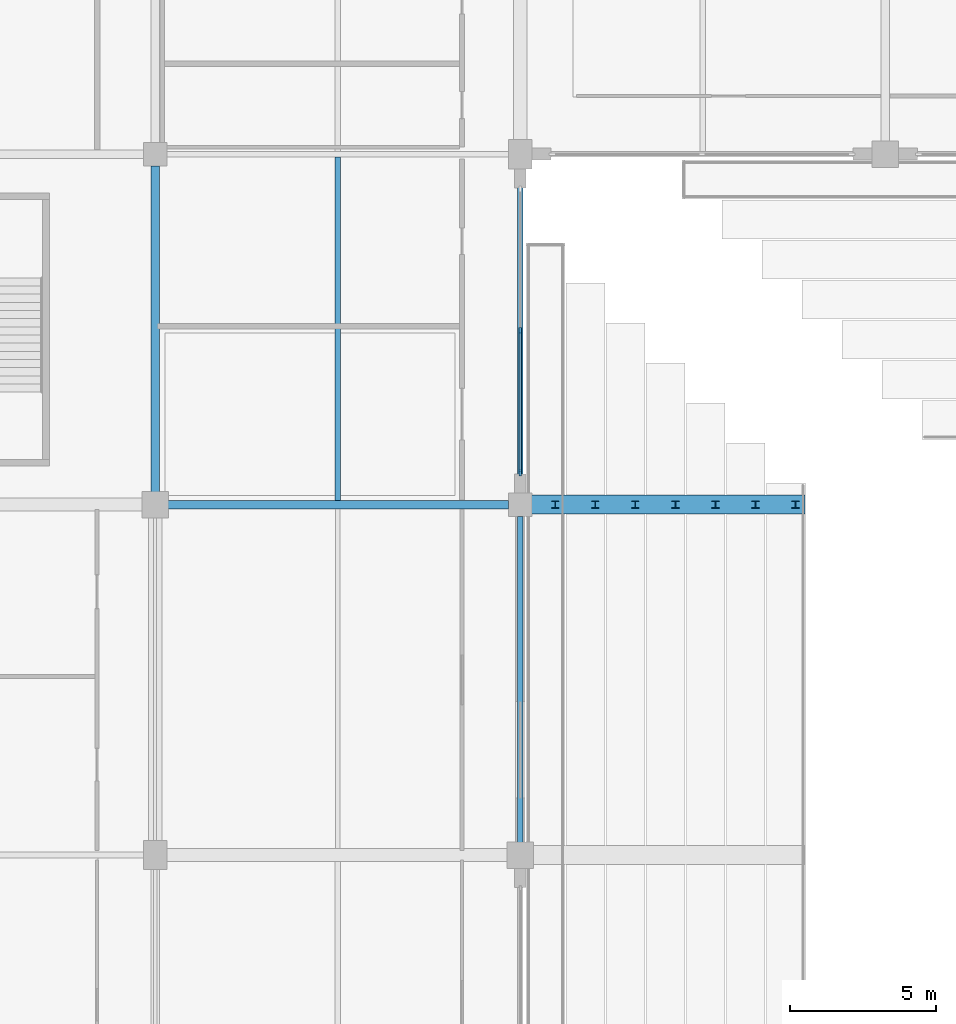
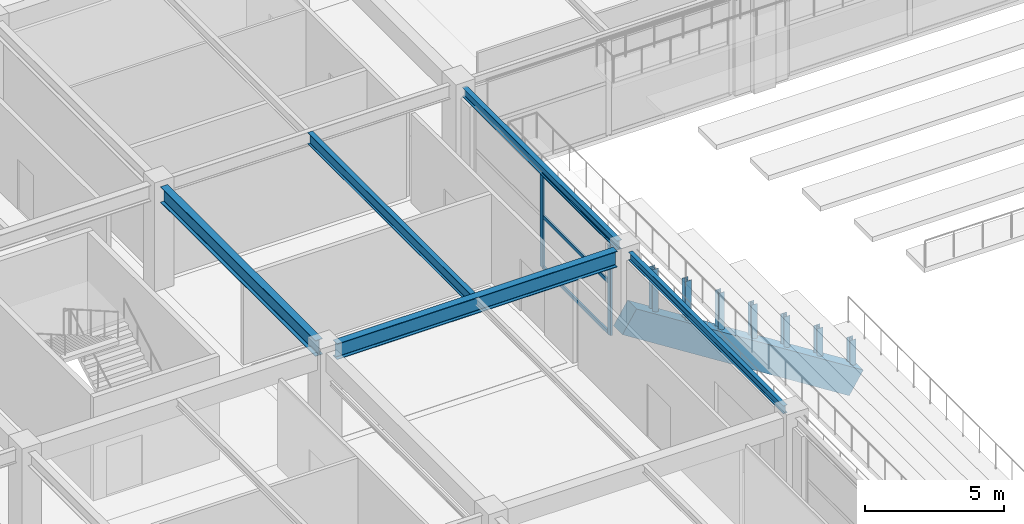
# One storey, part 26 of 134: 12 members, 6 beams, 1 element without a shape of its own.
"""IFC4 building model written with IfcOpenShell, lengths in metres."""

from ifc_helpers import new_model, si_unit, direction, frame, origin, origin_2d, place, context, subcontext, project, spatial, rectangle, i_section, extrude, material, layer, layer_set, material_profile, profile_set, type_object, element, aggregate, save


model = new_model("IFC4")

# Units and contexts
model_context = context("Model", 3, precision=1e-05, world=origin(), true_north=direction((0.0, 1.0)))
body_context = subcontext(model_context, "Body", "Model", "MODEL_VIEW")
ifc_project = project(units=[si_unit("LENGTHUNIT", "METRE"), si_unit("AREAUNIT", "SQUARE_METRE"), si_unit("VOLUMEUNIT", "CUBIC_METRE"), si_unit("PLANEANGLEUNIT", "RADIAN"), si_unit("MASSUNIT", "GRAM", prefix="KILO")], contexts=[model_context])

# Site, building, storey
site_placement = place(None, origin())
site = spatial("IfcSite", under=ifc_project, at=site_placement, CompositionType="ELEMENT")
building_placement = place(site_placement, origin())
building = spatial("IfcBuilding", under=site, at=building_placement, Name="Kazenohara Klinker Stadium", CompositionType="ELEMENT")
storey_placement = place(building_placement, frame((0.0, 0.0, 5.39990234375)))
storey = spatial("IfcBuildingStorey", under=building, at=storey_placement, Name="L01", CompositionType="ELEMENT", Elevation=5.39990234375)

# Beams
ifc_material_1 = material(Name="Steel S355", Category="steel")
ifc_material_profile_1 = material_profile(ifc_material_1, i_section(OverallWidth=0.199951171875, OverallDepth=0.5, WebThickness=0.010009765625, FlangeThickness=0.01611328125, FilletRadius=0.012939453125, at=origin_2d()), Name="H-500x200x10x16")
ifc_profile_set_1 = profile_set([ifc_material_profile_1], Name="Steel S355")
beam_type_1 = type_object("IfcBeamType", Name="BM-JST01", PredefinedType="JOIST", material=ifc_profile_set_1)
beam_1_placement = place(storey_placement, frame((42.75, 120.14990234375, 4.300048828125), z_axis=(0.0, 1.0, 0.0), x_axis=(-1.0, 0.0, 0.0)))
element("IfcBeam", 1, at=beam_1_placement, inside=storey, type_object=beam_type_1, Name="Secondary floor joist SJ01 L01 4/L", PredefinedType="JOIST", context=body_context, shape_type="SweptSolid", body=[
    extrude(i_section(OverallWidth=0.199951171875, OverallDepth=0.5, WebThickness=0.010009765625, FlangeThickness=0.01611328125, FilletRadius=0.012939453125, at=origin_2d()), origin(), (0.0, 0.0, 1.0), 11.75),
])
ifc_material_profile_2 = material_profile(ifc_material_1, i_section(OverallWidth=0.199951171875, OverallDepth=0.39990234375, WebThickness=0.008056640625, FlangeThickness=0.012939453125, FilletRadius=0.012939453125, at=origin_2d()), Name="H-400x200x8x13")
ifc_profile_set_2 = profile_set([ifc_material_profile_2], Name="Steel S355")
beam_type_2 = type_object("IfcBeamType", Name="BM-SPD01", PredefinedType="SPANDREL", material=ifc_profile_set_2)
beam_2_placement = place(storey_placement, frame((49.0, 120.39990234375, 4.35009765625), z_axis=(0.0, 1.0, 0.0), x_axis=(-1.0, 0.0, 0.0)))
element("IfcBeam", 2, at=beam_2_placement, inside=storey, type_object=beam_type_2, Name="Primary girder SP01 L01 5/L-M", PredefinedType="SPANDREL", context=body_context, shape_type="SweptSolid", body=[
    extrude(i_section(OverallWidth=0.199951171875, OverallDepth=0.39990234375, WebThickness=0.008056640625, FlangeThickness=0.012939453125, FilletRadius=0.012939453125, at=origin_2d()), origin(), (0.0, 0.0, 1.0), 11.18017578125),
])
ifc_material_profile_3 = material_profile(ifc_material_1, i_section(OverallWidth=0.175048828125, OverallDepth=0.35009765625, WebThickness=0.007080078125, FlangeThickness=0.010986328125, FilletRadius=0.012939453125, at=origin_2d()), Name="H-350x175x7x11")
ifc_profile_set_3 = profile_set([ifc_material_profile_3], Name="Steel S355")
beam_type_3 = type_object("IfcBeamType", Name="BM-SPD02", PredefinedType="SPANDREL", material=ifc_profile_set_3)
beam_3_placement = place(storey_placement, frame((49.0, 108.419921875, 4.375), z_axis=(0.0, 1.0, 0.0), x_axis=(-1.0, 0.0, 0.0)))
element("IfcBeam", 3, at=beam_3_placement, inside=storey, type_object=beam_type_3, Name="Primary girder SP02 L01 5/K-L", PredefinedType="SPANDREL", context=body_context, shape_type="SweptSolid", body=[
    extrude(i_section(OverallWidth=0.175048828125, OverallDepth=0.35009765625, WebThickness=0.007080078125, FlangeThickness=0.010986328125, FilletRadius=0.012939453125, at=origin_2d()), origin(), (0.0, 0.0, 1.0), 11.18017578125),
])
ifc_material_profile_4 = material_profile(ifc_material_1, i_section(OverallWidth=0.300048828125, OverallDepth=0.699951171875, WebThickness=0.012939453125, FlangeThickness=0.02392578125, FilletRadius=0.02197265625, at=origin_2d()), Name="H-700x300x13x24")
ifc_profile_set_4 = profile_set([ifc_material_profile_4], Name="Steel S355")
beam_type_4 = type_object("IfcBeamType", Name="BM-ST03", PredefinedType="BEAM", material=ifc_profile_set_4)
beam_4_placement = place(storey_placement, frame((36.919921875, 120.0, 4.2001953125), z_axis=(1.0, 0.0, 0.0), x_axis=(0.0, 1.0, 0.0)))
element("IfcBeam", 4, at=beam_4_placement, inside=storey, type_object=beam_type_4, Name="Primary girder SB03 L01 4-5/L", PredefinedType="BEAM", context=body_context, shape_type="SweptSolid", body=[
    extrude(i_section(OverallWidth=0.300048828125, OverallDepth=0.699951171875, WebThickness=0.012939453125, FlangeThickness=0.02392578125, FilletRadius=0.02197265625, at=origin_2d()), origin(), (0.0, 0.0, 1.0), 11.68017578125),
])
beam_5_placement = place(storey_placement, frame((36.5, 120.419921875, 4.2001953125), z_axis=(0.0, 1.0, 0.0), x_axis=(-1.0, 0.0, 0.0)))
element("IfcBeam", 5, at=beam_5_placement, inside=storey, type_object=beam_type_4, Name="Primary girder SB03 L01 4/L-M", PredefinedType="BEAM", context=body_context, shape_type="SweptSolid", body=[
    extrude(i_section(OverallWidth=0.300048828125, OverallDepth=0.699951171875, WebThickness=0.012939453125, FlangeThickness=0.02392578125, FilletRadius=0.02197265625, at=origin_2d()), origin(), (0.0, 0.0, 1.0), 11.18017578125),
])

# Curtain wall, members
ifc_material_2 = material(Name="Anodised aluminium and triple glazing", Category="aluminium")
ifc_layer = layer(ifc_material_2, 0.179931640625)
ifc_layer_set = layer_set([ifc_layer], Name="Anodised aluminium and triple glazing")
curtain_wall_type = type_object("IfcCurtainWallType", Name="CW-SYS-02", PredefinedType="USERDEFINED", material=ifc_layer_set)
curtain_wall_placement = place(storey_placement, origin())
curtain_wall = element("IfcCurtainWall", 6, at=curtain_wall_placement, inside=storey, type_object=curtain_wall_type, Name="Unitised facade curtain wall CW02 L01 Y4-10", ObjectType="UNITISED CURTAIN WALL", PredefinedType="USERDEFINED")
ifc_material_3 = material(Name="Anodised aluminium 6063-T6", Category="aluminium")
ifc_material_profile_5 = material_profile(ifc_material_3, rectangle(XDim=0.074951171875, YDim=0.219970703125, at=origin_2d()), Name="ALU-MUL-75x220")
ifc_profile_set_5 = profile_set([ifc_material_profile_5], Name="Anodised aluminium 6063-T6")
member_type_1 = type_object("IfcMemberType", Name="CW-MUL-220", PredefinedType="MULLION", material=ifc_profile_set_5)
member_1_placement = place(storey_placement, frame((49.0, 121.091552734375, 0.0), z_axis=(0.0, 0.0, 1.0), x_axis=(-1.0, 0.0, 0.0)))
member_1 = element("IfcMember", 7, at=member_1_placement, type_object=member_type_1, Name="CW02 mullion 1", PredefinedType="MULLION", context=body_context, shape_type="SweptSolid", body=[
    extrude(rectangle(XDim=0.074951171875, YDim=0.219970703125, at=origin_2d()), origin(), (0.0, 0.0, 1.0), 4.150146484375),
])
member_2_placement = place(storey_placement, frame((49.0, 125.949951171875, 0.0), z_axis=(0.0, 0.0, 1.0), x_axis=(-1.0, 0.0, 0.0)))
member_2 = element("IfcMember", 8, at=member_2_placement, type_object=member_type_1, Name="CW02 mullion 2", PredefinedType="MULLION", context=body_context, shape_type="SweptSolid", body=[
    extrude(rectangle(XDim=0.074951171875, YDim=0.219970703125, at=origin_2d()), origin(), (0.0, 0.0, 1.0), 4.150146484375),
])
ifc_material_profile_6 = material_profile(ifc_material_3, rectangle(XDim=0.074951171875, YDim=0.159912109375, at=origin_2d()), Name="ALU-TRN-75x160")
ifc_profile_set_6 = profile_set([ifc_material_profile_6], Name="Anodised aluminium 6063-T6")
member_type_2 = type_object("IfcMemberType", Name="CW-TRN-160", PredefinedType="USERDEFINED", material=ifc_profile_set_6)
member_3_placement = place(storey_placement, frame((49.0, 121.12890625, 0.03759765625), z_axis=(0.0, 1.0, 0.0), x_axis=(-1.0, 0.0, 0.0)))
member_3 = element("IfcMember", 9, at=member_3_placement, type_object=member_type_2, Name="CW02 transom 1.1", ObjectType="TRANSOM", PredefinedType="USERDEFINED", context=body_context, shape_type="SweptSolid", body=[
    extrude(rectangle(XDim=0.074951171875, YDim=0.159912109375, at=origin_2d()), origin(), (0.0, 0.0, 1.0), 4.78369140625),
])
member_4_placement = place(storey_placement, frame((49.0, 121.12890625, 2.28271484375), z_axis=(0.0, 1.0, 0.0), x_axis=(-1.0, 0.0, 0.0)))
member_4 = element("IfcMember", 10, at=member_4_placement, type_object=member_type_2, Name="CW02 transom 1.2", ObjectType="TRANSOM", PredefinedType="USERDEFINED", context=body_context, shape_type="SweptSolid", body=[
    extrude(rectangle(XDim=0.074951171875, YDim=0.159912109375, at=origin_2d()), origin(), (0.0, 0.0, 1.0), 4.78369140625),
])
member_5_placement = place(storey_placement, frame((49.0, 121.12890625, 4.112548828125), z_axis=(0.0, 1.0, 0.0), x_axis=(-1.0, 0.0, 0.0)))
member_5 = element("IfcMember", 11, at=member_5_placement, type_object=member_type_2, Name="CW02 transom 1.3", ObjectType="TRANSOM", PredefinedType="USERDEFINED", context=body_context, shape_type="SweptSolid", body=[
    extrude(rectangle(XDim=0.074951171875, YDim=0.159912109375, at=origin_2d()), origin(), (0.0, 0.0, 1.0), 4.78369140625),
])
aggregate(curtain_wall, [member_1, member_2, member_3, member_4, member_5])

# Members
ifc_material_profile_7 = material_profile(ifc_material_1, i_section(OverallWidth=0.25, OverallDepth=0.25, WebThickness=0.009033203125, FlangeThickness=0.013916015625, FilletRadius=0.012939453125, at=origin_2d()), Name="H-250x250x9x14")
ifc_profile_set_7 = profile_set([ifc_material_profile_7], Name="Steel S355")
member_type_3 = type_object("IfcMemberType", Name="MEM-STR02", PredefinedType="STRUT", material=ifc_profile_set_7)
member_6_placement = place(storey_placement, frame((50.198486328125, 120.0, 1.2783203125), z_axis=(0.0, 0.0, 1.0), x_axis=(1.0, 0.0, 0.0)))
element("IfcMember", 12, at=member_6_placement, inside=storey, type_object=member_type_3, Name="Precast tier riser stool LOWER-W-01-10", PredefinedType="STRUT", context=body_context, shape_type="SweptSolid", body=[
    extrude(i_section(OverallWidth=0.25, OverallDepth=0.25, WebThickness=0.009033203125, FlangeThickness=0.013916015625, FilletRadius=0.012939453125, at=origin_2d()), origin(), (0.0, 0.0, 1.0), 1.911865234375),
])
member_7_placement = place(storey_placement, frame((51.570068359375, 120.0, 0.407470703125), z_axis=(0.0, 0.0, 1.0), x_axis=(1.0, 0.0, 0.0)))
element("IfcMember", 13, at=member_7_placement, inside=storey, type_object=member_type_3, Name="Precast tier riser stool LOWER-W-02-10", PredefinedType="STRUT", context=body_context, shape_type="SweptSolid", body=[
    extrude(i_section(OverallWidth=0.25, OverallDepth=0.25, WebThickness=0.009033203125, FlangeThickness=0.013916015625, FilletRadius=0.012939453125, at=origin_2d()), origin(), (0.0, 0.0, 1.0), 1.78271484375),
])
member_8_placement = place(storey_placement, frame((52.94140625, 120.0, -0.463134765625), z_axis=(0.0, 0.0, 1.0), x_axis=(1.0, 0.0, 0.0)))
element("IfcMember", 14, at=member_8_placement, inside=storey, type_object=member_type_3, Name="Precast tier riser stool LOWER-W-03-10", PredefinedType="STRUT", context=body_context, shape_type="SweptSolid", body=[
    extrude(i_section(OverallWidth=0.25, OverallDepth=0.25, WebThickness=0.009033203125, FlangeThickness=0.013916015625, FilletRadius=0.012939453125, at=origin_2d()), origin(), (0.0, 0.0, 1.0), 1.6533203125),
])
member_9_placement = place(storey_placement, frame((54.31298828125, 120.0, -1.333984375), z_axis=(0.0, 0.0, 1.0), x_axis=(1.0, 0.0, 0.0)))
element("IfcMember", 15, at=member_9_placement, inside=storey, type_object=member_type_3, Name="Precast tier riser stool LOWER-W-04-10", PredefinedType="STRUT", context=body_context, shape_type="SweptSolid", body=[
    extrude(i_section(OverallWidth=0.25, OverallDepth=0.25, WebThickness=0.009033203125, FlangeThickness=0.013916015625, FilletRadius=0.012939453125, at=origin_2d()), origin(), (0.0, 0.0, 1.0), 1.524169921875),
])
member_10_placement = place(storey_placement, frame((55.684326171875, 120.0, -2.20458984375), z_axis=(0.0, 0.0, 1.0), x_axis=(1.0, 0.0, 0.0)))
element("IfcMember", 16, at=member_10_placement, inside=storey, type_object=member_type_3, Name="Precast tier riser stool LOWER-W-05-10", PredefinedType="STRUT", context=body_context, shape_type="SweptSolid", body=[
    extrude(i_section(OverallWidth=0.25, OverallDepth=0.25, WebThickness=0.009033203125, FlangeThickness=0.013916015625, FilletRadius=0.012939453125, at=origin_2d()), origin(), (0.0, 0.0, 1.0), 1.394775390625),
])
member_11_placement = place(storey_placement, frame((57.0556640625, 120.0, -3.075439453125), z_axis=(0.0, 0.0, 1.0), x_axis=(1.0, 0.0, 0.0)))
element("IfcMember", 17, at=member_11_placement, inside=storey, type_object=member_type_3, Name="Precast tier riser stool LOWER-W-06-10", PredefinedType="STRUT", context=body_context, shape_type="SweptSolid", body=[
    extrude(i_section(OverallWidth=0.25, OverallDepth=0.25, WebThickness=0.009033203125, FlangeThickness=0.013916015625, FilletRadius=0.012939453125, at=origin_2d()), origin(), (0.0, 0.0, 1.0), 1.265625),
])
member_12_placement = place(storey_placement, frame((58.427001953125, 120.0, -3.9462890625), z_axis=(0.0, 0.0, 1.0), x_axis=(1.0, 0.0, 0.0)))
element("IfcMember", 18, at=member_12_placement, inside=storey, type_object=member_type_3, Name="Precast tier riser stool LOWER-W-07-10", PredefinedType="STRUT", context=body_context, shape_type="SweptSolid", body=[
    extrude(i_section(OverallWidth=0.25, OverallDepth=0.25, WebThickness=0.009033203125, FlangeThickness=0.013916015625, FilletRadius=0.012939453125, at=origin_2d()), origin(), (0.0, 0.0, 1.0), 1.136474609375),
])

# Beam
ifc_material_4 = material(Name="Precast concrete C50/60", Category="concrete")
ifc_material_profile_8 = material_profile(ifc_material_4, rectangle(XDim=0.64990234375, YDim=1.10009765625, at=origin_2d()), Name="PC-RAKER-650x1100")
ifc_profile_set_8 = profile_set([ifc_material_profile_8], Name="Precast concrete C50/60")
beam_type_5 = type_object("IfcBeamType", Name="RAKER-RK01", PredefinedType="USERDEFINED", material=ifc_profile_set_8)
beam_6_placement = place(storey_placement, frame((49.0, 120.0, 1.401611328125), z_axis=(0.844211562005, 0.0, -0.536010110518), x_axis=(0.0, 1.0, 0.0)))
element("IfcBeam", 19, at=beam_6_placement, inside=storey, type_object=beam_type_5, Name="Precast bowl raker girder RK01 LOWER West L", ObjectType="RAKER", PredefinedType="USERDEFINED", context=body_context, shape_type="SweptSolid", body=[
    extrude(rectangle(XDim=0.64990234375, YDim=1.10009765625, at=origin_2d()), origin(), (0.0, 0.0, 1.0), 11.19384765625),
])

save(model, "model.ifc")
